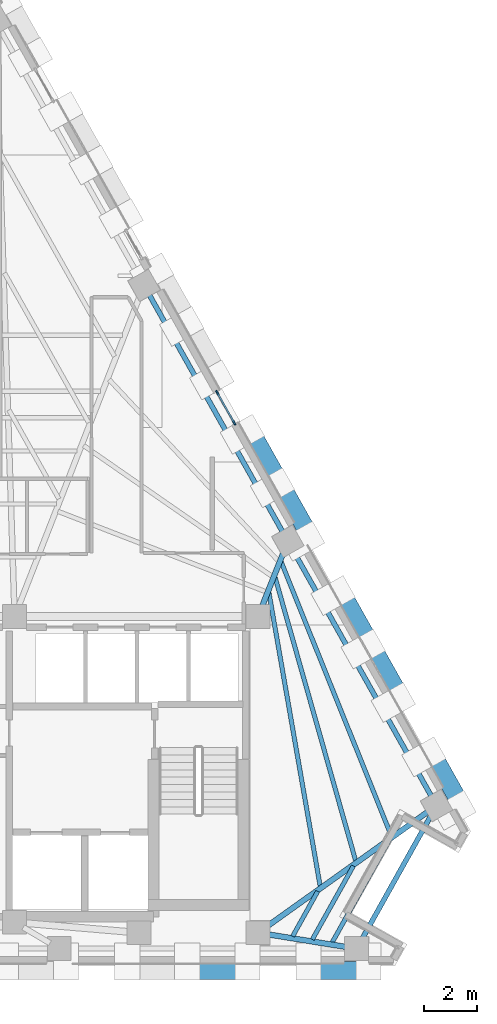
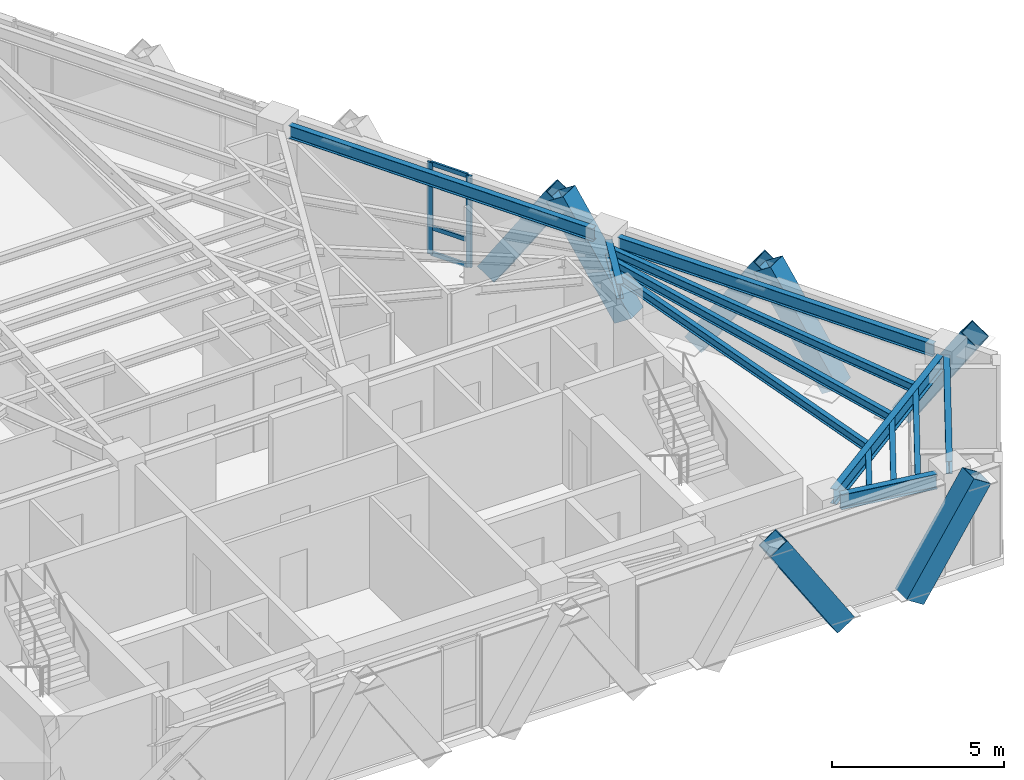
# One storey, part 4 of 12: 12 beams, 12 members, 1 element without a shape of its own.
"""IFC4 building model written with IfcOpenShell, lengths in metres."""

import ifcopenshell
import ifcopenshell.guid

model = None  # the IFC model being written
_history = None  # IfcOwnerHistory: only IFC2X3 demands one
_inside = {}  # id of a spatial element -> (the spatial element, [elements in it])
_under = {}  # id of a project, library or spatial element -> (it, [spatial elements below it])
_declared = {}  # id of a project -> (the project, [libraries it declares])
_typed = {}  # id of a type object -> (the type object, [elements of that type])
_made_of = {}  # id of a material, layer set ... -> (it, [elements and type objects made of it])


def new_model(schema):
    """Start an empty IFC model of exactly this schema.

    Asked for "IFC4X3", IfcOpenShell would pick the latest addendum, in which some entities
    have other attributes; the version numbers below select the first issue.
    IFC2X3 requires an IfcOwnerHistory on every rooted entity: one is made here for all.
    """
    global model, _history
    if schema == "IFC4X3":
        model = ifcopenshell.file(schema_version=(4, 3, 0, 0))
    else:
        model = ifcopenshell.file(schema=schema)
    _inside.clear()
    _under.clear()
    _declared.clear()
    _typed.clear()
    _made_of.clear()
    _history = None
    if model.schema == "IFC2X3":
        org = make("IfcOrganization", Name="unknown")
        user = make(
            "IfcPersonAndOrganization",
            ThePerson=make("IfcPerson", FamilyName="unknown"),
            TheOrganization=org,
        )
        app = make(
            "IfcApplication",
            ApplicationDeveloper=org,
            Version="unknown",
            ApplicationFullName="unknown",
            ApplicationIdentifier="unknown",
        )
        _history = make(
            "IfcOwnerHistory",
            OwningUser=user,
            OwningApplication=app,
            ChangeAction="ADDED",
            CreationDate=0,
        )
    return model


def make(cls, **values):
    """One entity of the class cls with the attributes given. An attribute that is None is left unset."""
    return model.create_entity(
        cls, **{name: value for name, value in values.items() if value is not None}
    )


def rooted(cls, **values):
    """An entity with a GlobalId (a new one), such as an element, a storey or a relation."""
    return make(cls, GlobalId=ifcopenshell.guid.new(), OwnerHistory=_history, **values)


def si_unit(unit_type, name, prefix=None):
    """IfcSIUnit, for example si_unit("LENGTHUNIT", "METRE", prefix="MILLI")."""
    return make("IfcSIUnit", UnitType=unit_type, Prefix=prefix, Name=name)


def assignment(units):
    """IfcUnitAssignment: the units of a project."""
    return None if units is None else make("IfcUnitAssignment", Units=units)


def point(xyz):
    """IfcCartesianPoint."""
    return None if xyz is None else make("IfcCartesianPoint", Coordinates=xyz)


def direction(xyz):
    """IfcDirection."""
    return None if xyz is None else make("IfcDirection", DirectionRatios=xyz)


def frame(location, z_axis=None, x_axis=None):
    """IfcAxis2Placement3D, a coordinate frame: its origin and axes. An axis left out is left unset."""
    return make(
        "IfcAxis2Placement3D",
        Location=point(location),
        Axis=direction(z_axis),
        RefDirection=direction(x_axis),
    )


def frame_2d(location, x_axis=None):
    """IfcAxis2Placement2D, a coordinate frame in the plane: its origin and x axis."""
    return make(
        "IfcAxis2Placement2D", Location=point(location), RefDirection=direction(x_axis)
    )


def origin():
    """The frame at (0, 0, 0) with its axes left unset."""
    return frame((0.0, 0.0, 0.0))


def origin_2d():
    """The frame at (0, 0) in the plane with its x axis left unset."""
    return frame_2d((0.0, 0.0))


def place(relative_to, where):
    """IfcLocalPlacement: puts the frame where relative to a parent placement (None: the world)."""
    return make(
        "IfcLocalPlacement", PlacementRelTo=relative_to, RelativePlacement=where
    )


def context(
    kind, dimensions, precision=None, world=None, true_north=None, identifier=None
):
    """IfcGeometricRepresentationContext, for example the 3D "Model" context."""
    return make(
        "IfcGeometricRepresentationContext",
        ContextIdentifier=identifier,
        ContextType=kind,
        CoordinateSpaceDimension=dimensions,
        Precision=precision,
        WorldCoordinateSystem=world,
        TrueNorth=true_north,
    )


def subcontext(parent, identifier, kind, view, scale=None):
    """IfcGeometricRepresentationSubContext, for example "Body" below "Model"."""
    return make(
        "IfcGeometricRepresentationSubContext",
        ContextIdentifier=identifier,
        ContextType=kind,
        ParentContext=parent,
        TargetScale=scale,
        TargetView=view,
    )


def project(units=None, contexts=None):
    """IfcProject with its units and contexts."""
    return rooted(
        "IfcProject",
        Name="project",
        RepresentationContexts=contexts,
        UnitsInContext=assignment(units),
    )


def spatial(cls, under=None, at=None, **own):
    """A site, building, storey or space (cls), placed at a placement, below another one or the project."""
    s = rooted(cls, ObjectPlacement=at, **own)
    if under is not None:
        _under.setdefault(under.id(), (under, []))[1].append(s)
    return s


def profile(cls, at=None, kind="AREA", **sizes):
    """A parametric profile (cls). Its sizes go by their IFC names, for example OverallWidth=200.0."""
    return make(cls, ProfileType=kind, Position=at, **sizes)


def rectangle(**sizes):
    """IfcRectangleProfileDef."""
    return profile("IfcRectangleProfileDef", **sizes)


def hollow_rectangle(**sizes):
    """IfcRectangleHollowProfileDef."""
    return profile("IfcRectangleHollowProfileDef", **sizes)


def i_section(**sizes):
    """IfcIShapeProfileDef."""
    return profile("IfcIShapeProfileDef", **sizes)


def extrude(swept, where, along, depth):
    """IfcExtrudedAreaSolid: the profile swept, set in the frame where, extruded along a direction by depth."""
    return make(
        "IfcExtrudedAreaSolid",
        SweptArea=swept,
        Position=where,
        ExtrudedDirection=direction(along),
        Depth=depth,
    )


def shape(context_of_items, identifier, shape_type, items):
    """IfcShapeRepresentation: the items that make up one representation, for example the "Body"."""
    return make(
        "IfcShapeRepresentation",
        ContextOfItems=context_of_items,
        RepresentationIdentifier=identifier,
        RepresentationType=shape_type,
        Items=items,
    )


def material(Name=None, Category=None):
    """IfcMaterial."""
    return make("IfcMaterial", Name=Name, Category=Category)


def material_profile(
    of_material, cross_section, Name=None, Category=None, Priority=None
):
    """IfcMaterialProfile: a cross section and its material."""
    return make(
        "IfcMaterialProfile",
        Name=Name,
        Material=of_material,
        Profile=cross_section,
        Priority=Priority,
        Category=Category,
    )


def profile_set(profiles, Name=None, composite=None):
    """IfcMaterialProfileSet."""
    return make(
        "IfcMaterialProfileSet",
        Name=Name,
        MaterialProfiles=profiles,
        CompositeProfile=composite,
    )


def made_of(thing, what):
    """Note that an element or type object is made of a material, layer set ...; save() writes the relation."""
    if what is not None:
        _made_of.setdefault(what.id(), (what, []))[1].append(thing)
    return thing


def type_object(cls, material=None, **own):
    """A type object (cls), such as IfcWallType, which elements share."""
    return made_of(rooted(cls, **own), material)


def element(
    cls,
    number,
    at=None,
    inside=None,
    cuts=None,
    type_object=None,
    material=None,
    context=None,
    identifier="Body",
    shape_type=None,
    held_by="IfcProductDefinitionShape",
    body=None,
    shapes=None,
    **own,
):
    """One element of the class cls, such as IfcWall. Its Tag is "e" and its number.

    at: its placement. inside: the storey or other place that contains it. cuts: it is an
    opening in that element (IfcRelVoidsElement). A single representation is given by context,
    identifier, shape_type and body (its items); several are given by shapes. held_by: the class
    of the entity that holds the representations. save() writes the other relations.
    """
    e = rooted(cls, Tag="e%d" % number, ObjectPlacement=at, **own)
    if body is not None:
        shapes = [shape(context, identifier, shape_type, body)]
    if shapes is not None:
        e.Representation = make(held_by, Representations=shapes)
    if inside is not None:
        _inside.setdefault(inside.id(), (inside, []))[1].append(e)
    if cuts is not None:
        rooted(
            "IfcRelVoidsElement", RelatingBuildingElement=cuts, RelatedOpeningElement=e
        )
    if type_object is not None:
        _typed.setdefault(type_object.id(), (type_object, []))[1].append(e)
    return made_of(e, material)


def aggregate(whole, parts):
    """IfcRelAggregates: a whole, such as a stair, and the parts it consists of."""
    return rooted("IfcRelAggregates", RelatingObject=whole, RelatedObjects=parts)


def save(model, path):
    """Write the relations noted so far, then the file.

    IfcRelAggregates (storeys below a building ...), IfcRelContainedInSpatialStructure (elements
    in a storey), IfcRelDefinesByType, IfcRelAssociatesMaterial and IfcRelDeclares: one each for
    every whole, place, type object, material and project.
    """
    for whole, parts in _under.values():
        aggregate(whole, parts)
    for where, things in _inside.values():
        rooted(
            "IfcRelContainedInSpatialStructure",
            RelatedElements=things,
            RelatingStructure=where,
        )
    for kind, things in _typed.values():
        rooted("IfcRelDefinesByType", RelatedObjects=things, RelatingType=kind)
    for what, things in _made_of.values():
        rooted("IfcRelAssociatesMaterial", RelatedObjects=things, RelatingMaterial=what)
    for by, libraries in _declared.values():
        rooted("IfcRelDeclares", RelatingContext=by, RelatedDefinitions=libraries)
    model.write(path)


model = new_model("IFC4")

# Units and contexts
model_context = context("Model", 3, precision=1e-05, world=origin(), true_north=direction((0.0, 1.0)))
body_context = subcontext(model_context, "Body", "Model", "MODEL_VIEW")
ifc_project = project(units=[si_unit("LENGTHUNIT", "METRE"), si_unit("AREAUNIT", "SQUARE_METRE"), si_unit("VOLUMEUNIT", "CUBIC_METRE"), si_unit("PLANEANGLEUNIT", "RADIAN"), si_unit("MASSUNIT", "GRAM", prefix="KILO")], contexts=[model_context])

# Site, building, storey
site_placement = place(None, origin())
site = spatial("IfcSite", under=ifc_project, at=site_placement, CompositionType="ELEMENT")
building_placement = place(site_placement, origin())
building = spatial("IfcBuilding", under=site, at=building_placement, Name="Quenlor Broadcast Tower", CompositionType="ELEMENT")
storey_placement = place(building_placement, frame((0.0, 0.0, 197.39990234375)))
storey = spatial("IfcBuildingStorey", under=building, at=storey_placement, Name="L54", CompositionType="ELEMENT", Elevation=197.39990234375)

# Curtain wall, members
ifc_material_1 = material(Name="Architectural Terracotta and Low-E Glazing", Category="masonry")
curtain_wall_type = type_object("IfcCurtainWallType", Name="Unitised Terracotta Curtain Wall System Z4", PredefinedType="NOTDEFINED", material=ifc_material_1)
curtain_wall_placement = place(storey_placement, origin())
curtain_wall = element("IfcCurtainWall", 1, at=curtain_wall_placement, inside=storey, type_object=curtain_wall_type, Name="L54 Curtain Wall CW4 (L54-NE-G1)", PredefinedType="NOTDEFINED")
ifc_material_2 = material(Name="Aluminium 6063-T6", Category="aluminium")
ifc_material_profile_1 = material_profile(ifc_material_2, rectangle(XDim=0.068115234375, YDim=0.179931640625, at=origin_2d()))
ifc_profile_set_1 = profile_set([ifc_material_profile_1], Name="Aluminium 6063-T6 MULL68x180")
member_type_1 = type_object("IfcMemberType", Name="CW4 Aluminium Mullion MULL_CW4", PredefinedType="MULLION", material=ifc_profile_set_1)
member_1_placement = place(storey_placement, frame((11.408203125, 3.65966796875, 0.0), z_axis=(0.0, 0.0, 1.0), x_axis=(0.871560008943, 0.490288844266, 0.0)))
member_1 = element("IfcMember", 2, at=member_1_placement, type_object=member_type_1, Name="CW4 mullion 1", PredefinedType="MULLION", context=body_context, shape_type="SweptSolid", body=[
    extrude(rectangle(XDim=0.068115234375, YDim=0.179931640625, at=origin_2d()), origin(), (0.0, 0.0, 1.0), 3.25),
])
member_2_placement = place(storey_placement, frame((12.049560546875, 2.519775390625, 0.0), z_axis=(0.0, 0.0, 1.0), x_axis=(0.871560008943, 0.490288844266, 0.0)))
member_2 = element("IfcMember", 3, at=member_2_placement, type_object=member_type_1, Name="CW4 mullion 2", PredefinedType="MULLION", context=body_context, shape_type="SweptSolid", body=[
    extrude(rectangle(XDim=0.068115234375, YDim=0.179931640625, at=origin_2d()), origin(), (0.0, 0.0, 1.0), 3.25),
])
ifc_material_3 = material(Name="Aluminium 6063-T6", Category="aluminium")
ifc_material_profile_2 = material_profile(ifc_material_3, rectangle(XDim=0.068115234375, YDim=0.14990234375, at=origin_2d()))
ifc_profile_set_2 = profile_set([ifc_material_profile_2], Name="Aluminium 6063-T6 TRAN68x150")
member_type_2 = type_object("IfcMemberType", Name="CW4 Aluminium Transom TRAN_CW4", PredefinedType="USERDEFINED", material=ifc_profile_set_2)
member_3_placement = place(storey_placement, frame((11.425048828125, 3.630126953125, 0.0341796875), z_axis=(0.490233197009, -0.871591310506, 0.0), x_axis=(0.871591310506, 0.490233197009, 0.0)))
member_3 = element("IfcMember", 4, at=member_3_placement, type_object=member_type_2, Name="CW4 transom 1.1", ObjectType="TRANSOM", PredefinedType="USERDEFINED", context=body_context, shape_type="SweptSolid", body=[
    extrude(rectangle(XDim=0.068115234375, YDim=0.14990234375, at=origin_2d()), origin(), (0.0, 0.0, 1.0), 1.239990234375),
])
member_4_placement = place(storey_placement, frame((11.425048828125, 3.630126953125, 0.9501953125), z_axis=(0.490233197009, -0.871591310506, 0.0), x_axis=(0.871591310506, 0.490233197009, 0.0)))
member_4 = element("IfcMember", 5, at=member_4_placement, type_object=member_type_2, Name="CW4 transom 1.2", ObjectType="TRANSOM", PredefinedType="USERDEFINED", context=body_context, shape_type="SweptSolid", body=[
    extrude(rectangle(XDim=0.068115234375, YDim=0.14990234375, at=origin_2d()), origin(), (0.0, 0.0, 1.0), 1.239990234375),
])
member_5_placement = place(storey_placement, frame((11.425048828125, 3.630126953125, 3.216064453125), z_axis=(0.490233197009, -0.871591310506, 0.0), x_axis=(0.871591310506, 0.490233197009, 0.0)))
member_5 = element("IfcMember", 6, at=member_5_placement, type_object=member_type_2, Name="CW4 transom 1.3", ObjectType="TRANSOM", PredefinedType="USERDEFINED", context=body_context, shape_type="SweptSolid", body=[
    extrude(rectangle(XDim=0.068115234375, YDim=0.14990234375, at=origin_2d()), origin(), (0.0, 0.0, 1.0), 1.239990234375),
])
aggregate(curtain_wall, [member_1, member_2, member_3, member_4, member_5])

# Members
ifc_material_4 = material(Name="Steel S355", Category="steel")
ifc_material_profile_3 = material_profile(ifc_material_4, hollow_rectangle(XDim=0.679931640625, YDim=0.679931640625, WallThickness=0.02490234375, at=origin_2d()))
ifc_profile_set_3 = profile_set([ifc_material_profile_3], Name="Steel S355 RHS680x680x25")
member_type_3 = type_object("IfcMemberType", Name="Perimeter Diagonal Lattice Brace Z3-Z4 Steel S355 RHS680x25", PredefinedType="BRACE", material=ifc_profile_set_3)
for number, where, z_axis, x_axis, name in (
    (7, (12.54541015625, -18.169921875, -0.119873046875), (-0.541794306908, 0.0, 0.840511111766), (0.0, -1.0, 0.0), "L54 Perimeter Diamond Lattice S-C1S"),
    (8, (14.856201171875, -18.169921875, -0.119873046875), (0.541794306908, 0.0, 0.840511111766), (0.0, 1.0, 0.0), "L54 Perimeter Diamond Lattice S-C1B"),
):
    element("IfcMember", number, at=place(storey_placement, frame(where, z_axis=z_axis, x_axis=x_axis)), inside=storey, type_object=member_type_3, Name=name, PredefinedType="BRACE", context=body_context, shape_type="SweptSolid", body=[
        extrude(hollow_rectangle(XDim=0.679931640625, YDim=0.679931640625, WallThickness=0.02490234375, at=origin_2d()), origin(), (0.0, 0.0, 1.0), 4.1640625),
    ])
for number, where, z_axis, x_axis, name in (
    (9, (12.651611328125, 2.255126953125, -0.119873046875), (0.269547055694, -0.479136497832, 0.835327840559), (0.871550060774, 0.49030652817, 0.0), "L54 Perimeter Diamond Lattice NE-C3S"),
    (10, (16.08056640625, -3.841064453125, -0.119873046875), (0.269547055694, -0.479136497832, 0.835327840559), (0.871550060774, 0.49030652817, 0.0), "L54 Perimeter Diamond Lattice NE-C4S"),
    (11, (14.923828125, -1.78466796875, -0.119873046875), (-0.269485495908, 0.479188912076, 0.835317636614), (-0.871620820774, -0.490180726664, 0.0), "L54 Perimeter Diamond Lattice NE-C4B"),
    (12, (19.509765625, -9.937255859375, -0.119873046875), (0.269547055694, -0.479136497832, 0.835327840559), (0.871550060774, 0.49030652817, 0.0), "L54 Perimeter Diamond Lattice NE-C5S"),
):
    element("IfcMember", number, at=place(storey_placement, frame(where, z_axis=z_axis, x_axis=x_axis)), inside=storey, type_object=member_type_3, Name=name, PredefinedType="BRACE", context=body_context, shape_type="SweptSolid", body=[
        extrude(hollow_rectangle(XDim=0.679931640625, YDim=0.679931640625, WallThickness=0.02490234375, at=origin_2d()), origin(), (0.0, 0.0, 1.0), 4.18994140625),
    ])
member_6_placement = place(storey_placement, frame((18.35302734375, -7.880859375, -0.119873046875), z_axis=(-0.269539530269, 0.479181387144, 0.835304519224), x_axis=(-0.871575537125, -0.490261239633, 0.0)))
element("IfcMember", 13, at=member_6_placement, inside=storey, type_object=member_type_3, Name="L54 Perimeter Diamond Lattice NE-C5B", PredefinedType="BRACE", context=body_context, shape_type="SweptSolid", body=[
    extrude(hollow_rectangle(XDim=0.679931640625, YDim=0.679931640625, WallThickness=0.02490234375, at=origin_2d()), origin(), (0.0, 0.0, 1.0), 4.190185546875),
])

# Beams
ifc_material_5 = material(Name="Steel S355", Category="steel")
ifc_material_profile_4 = material_profile(ifc_material_5, i_section(OverallWidth=0.18994140625, OverallDepth=0.453857421875, WebThickness=0.008544921875, FlangeThickness=0.0126953125, FilletRadius=0.011474609375, at=origin_2d()))
ifc_profile_set_4 = profile_set([ifc_material_profile_4], Name="Steel S355 460UB67.1")
beam_type_1 = type_object("IfcBeamType", Name="Perimeter Spandrel Beam Z4 Steel S355 460UB67.1", PredefinedType="SPANDREL", material=ifc_profile_set_4)
beam_1_placement = place(storey_placement, frame((16.875732421875, -16.991943359375, 3.023193359375), z_axis=(0.487647250206, 0.8730407547, 0.0), x_axis=(-0.8730407547, 0.487647250206, 0.0)))
element("IfcBeam", 14, at=beam_1_placement, inside=storey, type_object=beam_type_1, Name="L54 Spandrel Beam S4-NE1", PredefinedType="SPANDREL", context=body_context, shape_type="SweptSolid", body=[
    extrude(i_section(OverallWidth=0.18994140625, OverallDepth=0.453857421875, WebThickness=0.008544921875, FlangeThickness=0.0126953125, FilletRadius=0.011474609375, at=origin_2d()), origin(), (0.0, 0.0, 1.0), 5.37451171875),
])
beam_2_placement = place(storey_placement, frame((19.49560546875, -11.58447265625, 3.023193359375), z_axis=(-0.490272131974, 0.871569410093, 0.0), x_axis=(-0.871569410093, -0.490272131974, 0.0)))
element("IfcBeam", 15, at=beam_2_placement, inside=storey, type_object=beam_type_1, Name="L54 Spandrel Beam NE1-NE2", PredefinedType="SPANDREL", context=body_context, shape_type="SweptSolid", body=[
    extrude(i_section(OverallWidth=0.18994140625, OverallDepth=0.453857421875, WebThickness=0.008544921875, FlangeThickness=0.0126953125, FilletRadius=0.011474609375, at=origin_2d()), origin(), (0.0, 0.0, 1.0), 10.6416015625),
])
beam_3_placement = place(storey_placement, frame((13.87646484375, -1.594970703125, 3.023193359375), z_axis=(-0.490263496537, 0.871574267612, 0.0), x_axis=(-0.871574267612, -0.490263496537, 0.0)))
element("IfcBeam", 16, at=beam_3_placement, inside=storey, type_object=beam_type_1, Name="L54 Spandrel Beam NE2-NE3", PredefinedType="SPANDREL", context=body_context, shape_type="SweptSolid", body=[
    extrude(i_section(OverallWidth=0.18994140625, OverallDepth=0.453857421875, WebThickness=0.008544921875, FlangeThickness=0.0126953125, FilletRadius=0.011474609375, at=origin_2d()), origin(), (0.0, 0.0, 1.0), 10.271728515625),
])
ifc_material_6 = material(Name="Steel S355", Category="steel")
ifc_material_profile_5 = material_profile(ifc_material_6, i_section(OverallWidth=0.166015625, OverallDepth=0.30712890625, WebThickness=0.006591796875, FlangeThickness=0.01171875, FilletRadius=0.011474609375, at=origin_2d()))
ifc_profile_set_5 = profile_set([ifc_material_profile_5], Name="Steel S355 310UB46.2")
beam_type_2 = type_object("IfcBeamType", Name="Tower Composite Joist Z4-Z5 Steel S355 310UB46.2", PredefinedType="JOIST", material=ifc_profile_set_5)
beam_4_placement = place(storey_placement, frame((15.297607421875, -14.98828125, 3.096435546875), z_axis=(-0.172003691938, 0.985096304916, 0.0), x_axis=(-0.985096304916, -0.172003691938, 0.0)))
element("IfcBeam", 17, at=beam_4_placement, inside=storey, type_object=beam_type_2, Name="L54 Secondary Composite Joist 16", PredefinedType="JOIST", context=body_context, shape_type="SweptSolid", body=[
    extrude(i_section(OverallWidth=0.166015625, OverallDepth=0.30712890625, WebThickness=0.006591796875, FlangeThickness=0.01171875, FilletRadius=0.011474609375, at=origin_2d()), origin(), (0.0, 0.0, 1.0), 11.274169921875),
])
beam_5_placement = place(storey_placement, frame((16.638671875, -14.028564453125, 3.096435546875), z_axis=(-0.273447576454, 0.961886907558, 0.0), x_axis=(-0.961886907558, -0.273447576454, 0.0)))
element("IfcBeam", 18, at=beam_5_placement, inside=storey, type_object=beam_type_2, Name="L54 Secondary Composite Joist 17", PredefinedType="JOIST", context=body_context, shape_type="SweptSolid", body=[
    extrude(i_section(OverallWidth=0.166015625, OverallDepth=0.30712890625, WebThickness=0.006591796875, FlangeThickness=0.01171875, FilletRadius=0.011474609375, at=origin_2d()), origin(), (0.0, 0.0, 1.0), 11.142333984375),
])
beam_6_placement = place(storey_placement, frame((17.97998046875, -13.069580078125, 3.096435546875), z_axis=(-0.373094895103, 0.927793187757, 0.0), x_axis=(-0.927793187757, -0.373094895103, 0.0)))
element("IfcBeam", 19, at=beam_6_placement, inside=storey, type_object=beam_type_2, Name="L54 Secondary Composite Joist 18", PredefinedType="JOIST", context=body_context, shape_type="SweptSolid", body=[
    extrude(i_section(OverallWidth=0.166015625, OverallDepth=0.30712890625, WebThickness=0.006591796875, FlangeThickness=0.01171875, FilletRadius=0.011474609375, at=origin_2d()), origin(), (0.0, 0.0, 1.0), 11.13525390625),
])
beam_7_placement = place(storey_placement, frame((14.255859375, -16.88427734375, 3.096435546875), z_axis=(0.487590799665, 0.873072283423, 0.0), x_axis=(-0.873072283423, 0.487590799665, 0.0)))
element("IfcBeam", 20, at=beam_7_placement, inside=storey, type_object=beam_type_2, Name="L54 Secondary Composite Joist 22", PredefinedType="JOIST", context=body_context, shape_type="SweptSolid", body=[
    extrude(i_section(OverallWidth=0.166015625, OverallDepth=0.30712890625, WebThickness=0.006591796875, FlangeThickness=0.01171875, FilletRadius=0.011474609375, at=origin_2d()), origin(), (0.0, 0.0, 1.0), 1.9462890625),
])
beam_8_placement = place(storey_placement, frame((15.0009765625, -17.004150390625, 3.096435546875), z_axis=(0.487646119388, 0.87304138633, 0.0), x_axis=(-0.87304138633, 0.487646119388, 0.0)))
element("IfcBeam", 21, at=beam_8_placement, inside=storey, type_object=beam_type_2, Name="L54 Secondary Composite Joist 23", PredefinedType="JOIST", context=body_context, shape_type="SweptSolid", body=[
    extrude(i_section(OverallWidth=0.166015625, OverallDepth=0.30712890625, WebThickness=0.006591796875, FlangeThickness=0.01171875, FilletRadius=0.011474609375, at=origin_2d()), origin(), (0.0, 0.0, 1.0), 3.18505859375),
])
beam_9_placement = place(storey_placement, frame((15.74609375, -17.124267578125, 3.096435546875), z_axis=(0.487604899573, 0.873064408799, 0.0), x_axis=(-0.873064408799, 0.487604899573, 0.0)))
element("IfcBeam", 22, at=beam_9_placement, inside=storey, type_object=beam_type_2, Name="L54 Secondary Composite Joist 24", PredefinedType="JOIST", context=body_context, shape_type="SweptSolid", body=[
    extrude(i_section(OverallWidth=0.166015625, OverallDepth=0.30712890625, WebThickness=0.006591796875, FlangeThickness=0.01171875, FilletRadius=0.011474609375, at=origin_2d()), origin(), (0.0, 0.0, 1.0), 4.424072265625),
])
ifc_material_7 = material(Name="Steel S355", Category="steel")
ifc_material_profile_6 = material_profile(ifc_material_7, i_section(OverallWidth=0.208984375, OverallDepth=0.5283203125, WebThickness=0.009521484375, FlangeThickness=0.01318359375, FilletRadius=0.013916015625, at=origin_2d()))
ifc_profile_set_6 = profile_set([ifc_material_profile_6], Name="Steel S355 530UB82.0")
beam_type_3 = type_object("IfcBeamType", Name="Tower Primary Floor Beam Z4 Steel S355 530UB82.0", PredefinedType="BEAM", material=ifc_profile_set_6)
beam_10_placement = place(storey_placement, frame((16.27099609375, -17.284912109375, 2.986083984375), z_axis=(-0.987268490875, 0.159062650942, 0.0), x_axis=(-0.159062650942, -0.987268490875, 0.0)))
element("IfcBeam", 23, at=beam_10_placement, inside=storey, type_object=beam_type_3, Name="L54 Primary Radial Beam S4", PredefinedType="BEAM", context=body_context, shape_type="SweptSolid", body=[
    extrude(i_section(OverallWidth=0.208984375, OverallDepth=0.5283203125, WebThickness=0.009521484375, FlangeThickness=0.01318359375, FilletRadius=0.013916015625, at=origin_2d()), origin(), (0.0, 0.0, 1.0), 2.98388671875),
])
beam_11_placement = place(storey_placement, frame((19.362548828125, -12.1796875, 2.986083984375), z_axis=(-0.814329531787, -0.580402802938, 0.0), x_axis=(0.580402802938, -0.814329531787, 0.0)))
element("IfcBeam", 24, at=beam_11_placement, inside=storey, type_object=beam_type_3, Name="L54 Primary Radial Beam NE1", PredefinedType="BEAM", context=body_context, shape_type="SweptSolid", body=[
    extrude(i_section(OverallWidth=0.208984375, OverallDepth=0.5283203125, WebThickness=0.009521484375, FlangeThickness=0.01318359375, FilletRadius=0.013916015625, at=origin_2d()), origin(), (0.0, 0.0, 1.0), 7.49462890625),
])
beam_12_placement = place(storey_placement, frame((13.926513671875, -2.33349609375, 2.986083984375), z_axis=(-0.368110359783, -0.92978210513, 0.0), x_axis=(0.92978210513, -0.368110359783, 0.0)))
element("IfcBeam", 25, at=beam_12_placement, inside=storey, type_object=beam_type_3, Name="L54 Primary Radial Beam NE2", PredefinedType="BEAM", context=body_context, shape_type="SweptSolid", body=[
    extrude(i_section(OverallWidth=0.208984375, OverallDepth=0.5283203125, WebThickness=0.009521484375, FlangeThickness=0.01318359375, FilletRadius=0.013916015625, at=origin_2d()), origin(), (0.0, 0.0, 1.0), 2.27294921875),
])

save(model, "model.ifc")
